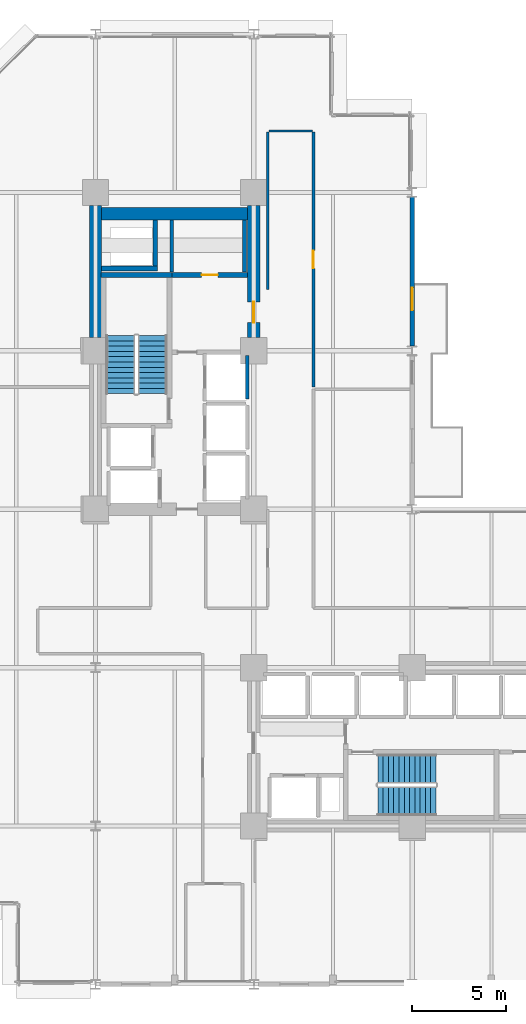
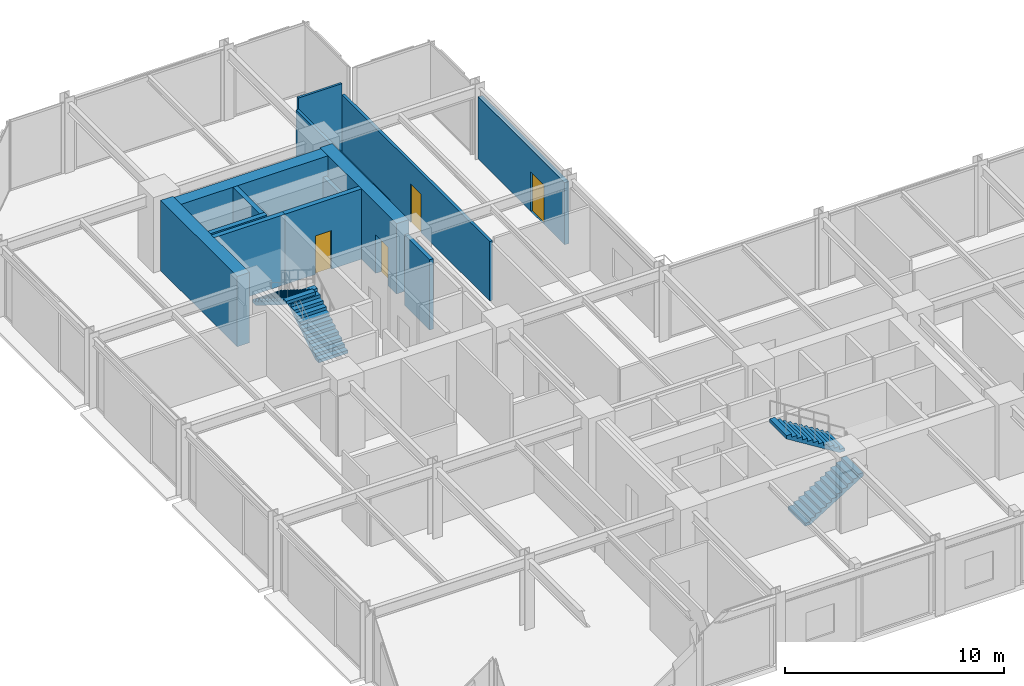
# One storey, part 22 of 25: 14 walls, 4 doors, 4 stair flights, 4 openings, 2 elements without a shape of their own.
"""IFC4 building model written with IfcOpenShell, lengths in metres."""

from ifc_helpers import new_model, si_unit, direction, frame, frame_2d, origin, place, context, subcontext, project, spatial, polyline, rectangle, outline, extrude, material, layer, layer_set, type_object, element, fill, aggregate, save


model = new_model("IFC4")

# Units and contexts
model_context = context("Model", 3, precision=1e-05, world=origin(), true_north=direction((0.0, 1.0)))
body_context = subcontext(model_context, "Body", "Model", "MODEL_VIEW")
ifc_project = project(units=[si_unit("LENGTHUNIT", "METRE"), si_unit("AREAUNIT", "SQUARE_METRE"), si_unit("VOLUMEUNIT", "CUBIC_METRE"), si_unit("PLANEANGLEUNIT", "RADIAN"), si_unit("MASSUNIT", "GRAM", prefix="KILO")], contexts=[model_context])

# Site, building, storey
site_placement = place(None, origin())
site = spatial("IfcSite", under=ifc_project, at=site_placement, CompositionType="ELEMENT")
building_placement = place(site_placement, origin())
building = spatial("IfcBuilding", under=site, at=building_placement, Name="Nerrivon Quay Data Exchange", CompositionType="ELEMENT")
storey_placement = place(building_placement, frame((0.0, 0.0, 24.800048828125)))
storey = spatial("IfcBuildingStorey", under=building, at=storey_placement, Name="L05", CompositionType="ELEMENT", Elevation=24.800048828125)

# Wall, opening, door
ifc_material_1 = material(Name="Architectural terracotta precast concrete N50 (50 MPa)", Category="masonry")
ifc_layer_1 = layer(ifc_material_1, 0.239990234375)
ifc_layer_set_1 = layer_set([ifc_layer_1], Name="Architectural terracotta precast concrete N50 (50 MPa)")
wall_type_1 = type_object("IfcWallType", Name="EW-PREC-240", PredefinedType="STANDARD", material=ifc_layer_set_1)
wall_1_placement = place(storey_placement, frame((25.199951171875, 41.75, 0.0), z_axis=(0.0, 0.0, 1.0), x_axis=(0.0, -1.0, 0.0)))
wall_1 = element("IfcWall", 1, at=wall_1_placement, inside=storey, type_object=wall_type_1, Name="L05 Terrace Host Wall 26", PredefinedType="STANDARD", context=body_context, shape_type="SweptSolid", body=[
    extrude(rectangle(XDim=7.89990234375, YDim=0.239990234375, at=frame_2d((3.949951171875, 0.0))), origin(), (0.0, 0.0, 1.0), 3.470947265625),
])
opening_1_placement = place(wall_1_placement, frame((4.800048828125, 0.0, 0.0)))
opening_1 = element("IfcOpeningElement", 2, at=opening_1_placement, cuts=wall_1, Name="Opening TD1", PredefinedType="OPENING", context=body_context, shape_type="SweptSolid", body=[
    extrude(rectangle(XDim=1.199951171875, YDim=2.199951171875, at=frame_2d((0.60009765625, 1.10009765625))), frame((0.0, 0.1298828125, 0.0), z_axis=(0.0, -1.0, 0.0), x_axis=(1.0, 0.0, 0.0)), (0.0, 0.0, 1.0), 0.260009765625),
])
ifc_material_2 = material(Name="Double-glazed low-E solar control glass", Category="glass")
door_type_1 = type_object("IfcDoorType", Name="DR-TERR-1200x2200", OperationType="NOTDEFINED", PredefinedType="DOOR", material=ifc_material_2)
door_1_placement = place(opening_1_placement, origin())
door_1 = element("IfcDoor", 3, at=door_1_placement, inside=storey, type_object=door_type_1, Name="L05 Outdoor Terrace Access Door 26", OperationType="SINGLE_SWING_LEFT", OverallHeight=2.199951171875, OverallWidth=1.199951171875, PredefinedType="DOOR", context=body_context, shape_type="SweptSolid", body=[
    extrude(rectangle(XDim=1.199951171875, YDim=2.199951171875, at=frame_2d((0.60009765625, 1.10009765625))), frame((0.0, 0.02490234375, 0.0), z_axis=(0.0, -1.0, 0.0), x_axis=(1.0, 0.0, 0.0)), (0.0, 0.0, 1.0), 0.050048828125),
])
fill(opening_1, door_1)

# Walls
ifc_material_3 = material(Name="Concrete N80 (80 MPa)", Category="concrete")
ifc_layer_2 = layer(ifc_material_3, 0.64990234375)
ifc_layer_set_2 = layer_set([ifc_layer_2], Name="Concrete N80 (80 MPa)")
wall_type_2 = type_object("IfcWallType", Name="WALL-CW-850", PredefinedType="SHEAR", material=ifc_layer_set_2)
wall_2_placement = place(storey_placement, frame((8.39990234375, 34.300048828125, 0.0), z_axis=(0.0, 0.0, 1.0), x_axis=(0.0, 1.0, 0.0)))
element("IfcWall", 4, at=wall_2_placement, inside=storey, type_object=wall_type_2, Name="L05 West Split-Core Shear Wall WCW-W2", PredefinedType="SHEAR", context=body_context, shape_type="SweptSolid", body=[
    extrude(rectangle(XDim=7.0, YDim=0.64990234375, at=frame_2d((3.5, 0.0))), origin(), (0.0, 0.0, 1.0), 3.925048828125),
])
wall_3_placement = place(storey_placement, frame((8.72509765625, 40.875, 0.0), z_axis=(0.0, 0.0, 1.0), x_axis=(1.0, 0.0, 0.0)))
element("IfcWall", 5, at=wall_3_placement, inside=storey, type_object=wall_type_2, Name="L05 West Split-Core Shear Wall WCW-N1", PredefinedType="SHEAR", context=body_context, shape_type="SweptSolid", body=[
    extrude(rectangle(XDim=7.75, YDim=0.64990234375, at=frame_2d((3.875, 0.0))), origin(), (0.0, 0.0, 1.0), 3.925048828125),
])

# Wall, opening, door
wall_4_placement = place(storey_placement, frame((16.800048828125, 34.300048828125, 0.0), z_axis=(0.0, 0.0, 1.0), x_axis=(0.0, 1.0, 0.0)))
wall_4 = element("IfcWall", 6, at=wall_4_placement, inside=storey, type_object=wall_type_2, Name="L05 West Split-Core Shear Wall WCW-E1", PredefinedType="SHEAR", context=body_context, shape_type="SweptSolid", body=[
    extrude(rectangle(XDim=7.0, YDim=0.64990234375, at=frame_2d((3.5, 0.0))), origin(), (0.0, 0.0, 1.0), 3.925048828125),
])
opening_2_placement = place(wall_4_placement, frame((0.800048828125, 0.0, 0.0)))
opening_2 = element("IfcOpeningElement", 7, at=opening_2_placement, cuts=wall_4, Name="Opening FD-120", PredefinedType="OPENING", context=body_context, shape_type="SweptSolid", body=[
    extrude(rectangle(XDim=1.10009765625, YDim=2.14990234375, at=frame_2d((0.550048828125, 1.074951171875))), frame((0.0, 0.3349609375, 0.0), z_axis=(0.0, -1.0, 0.0), x_axis=(1.0, 0.0, 0.0)), (0.0, 0.0, 1.0), 0.669921875),
])
ifc_material_4 = material(Name="Powder-coated galvanized steel sheet", Category="steel")
door_type_2 = type_object("IfcDoorType", Name="DR-FD120-1100", OperationType="NOTDEFINED", PredefinedType="DOOR", material=ifc_material_4)
door_2_placement = place(opening_2_placement, origin())
door_2 = element("IfcDoor", 8, at=door_2_placement, inside=storey, type_object=door_type_2, Name="L05 West Core Lobby Fire Door", OperationType="SINGLE_SWING_RIGHT", OverallHeight=2.14990234375, OverallWidth=1.10009765625, PredefinedType="DOOR", context=body_context, shape_type="SweptSolid", body=[
    extrude(rectangle(XDim=1.10009765625, YDim=2.14990234375, at=frame_2d((0.550048828125, 1.074951171875))), frame((0.0, 0.02490234375, 0.0), z_axis=(0.0, -1.0, 0.0), x_axis=(1.0, 0.0, 0.0)), (0.0, 0.0, 1.0), 0.050048828125),
])
fill(opening_2, door_2)

# Walls
ifc_material_5 = material(Name="Gypsum plasterboard on cold-formed framing", Category="gypsum")
ifc_layer_3 = layer(ifc_material_5, 0.199951171875)
ifc_layer_set_3 = layer_set([ifc_layer_3], Name="Gypsum plasterboard on cold-formed framing")
wall_type_3 = type_object("IfcWallType", Name="WALL-FW-200", PredefinedType="PARTITIONING", material=ifc_layer_set_3)
wall_5_placement = place(storey_placement, frame((16.449951171875, 31.050048828125, 0.0), z_axis=(0.0, 0.0, 1.0), x_axis=(0.0, 1.0, 0.0)))
element("IfcWall", 9, at=wall_5_placement, inside=storey, type_object=wall_type_3, Name="L05 Lift Shaft Wall PL3 EAST", PredefinedType="PARTITIONING", context=body_context, shape_type="SweptSolid", body=[
    extrude(rectangle(XDim=2.300048828125, YDim=0.199951171875, at=frame_2d((1.14990234375, 0.0))), origin(), (0.0, 0.0, 1.0), 3.925048828125),
])
for number, where, z_axis, x_axis, name in (
    (10, (16.300048828125, 37.780029296875, 0.0), (0.0, 0.0, 1.0), (0.0, 1.0, 0.0), "L05 Partition Cleaners Store"),
    (11, (12.449951171875, 40.5458984375, 0.0), (0.0, 0.0, 1.0), (0.0, -1.0, 0.0), "L05 Partition Cleaners Store"),
):
    element("IfcWall", number, at=place(storey_placement, frame(where, z_axis=z_axis, x_axis=x_axis)), inside=storey, type_object=wall_type_3, Name=name, PredefinedType="PARTITIONING", context=body_context, shape_type="SweptSolid", body=[
        extrude(rectangle(XDim=2.765869140625, YDim=0.199951171875, at=frame_2d((1.3828125, 0.0))), origin(), (0.0, 0.0, 1.0), 2.824951171875),
    ])
ifc_layer_4 = layer(ifc_material_5, 0.1201171875)
ifc_layer_set_4 = layer_set([ifc_layer_4], Name="Gypsum plasterboard on cold-formed framing")
wall_type_4 = type_object("IfcWallType", Name="WALL-PT-120", PredefinedType="PARTITIONING", material=ifc_layer_set_4)
wall_6_placement = place(storey_placement, frame((17.60009765625, 45.260009765625, 0.0), z_axis=(0.0, 0.0, 1.0), x_axis=(1.0, 0.0, 0.0)))
element("IfcWall", 12, at=wall_6_placement, inside=storey, type_object=wall_type_4, Name="L05 Partition Cloud Compute Workspace 1", PredefinedType="PARTITIONING", context=body_context, shape_type="SweptSolid", body=[
    extrude(rectangle(XDim=2.2998046875, YDim=0.1201171875, at=frame_2d((1.14990234375, 0.0))), origin(), (0.0, 0.0, 1.0), 3.925048828125),
])

# Wall, opening, door
ifc_layer_5 = layer(ifc_material_5, 0.14990234375)
ifc_layer_set_5 = layer_set([ifc_layer_5], Name="Gypsum plasterboard on cold-formed framing")
wall_type_5 = type_object("IfcWallType", Name="WALL-PT-150", PredefinedType="PARTITIONING", material=ifc_layer_set_5)
wall_7_placement = place(storey_placement, frame((19.9599609375, 45.199951171875, 0.0), z_axis=(0.0, 0.0, 1.0), x_axis=(0.0, -1.0, 0.0)))
wall_7 = element("IfcWall", 13, at=wall_7_placement, inside=storey, type_object=wall_type_5, Name="L05 Partition Cloud Compute Workspace 1", PredefinedType="PARTITIONING", context=body_context, shape_type="SweptSolid", body=[
    extrude(rectangle(XDim=13.507080078125, YDim=0.14990234375, at=frame_2d((6.75341796875, 0.0))), origin(), (0.0, 0.0, 1.0), 3.31298828125),
])
opening_3_placement = place(wall_7_placement, frame((6.278564453125, 0.0, 0.0)))
opening_3 = element("IfcOpeningElement", 14, at=opening_3_placement, cuts=wall_7, Name="Opening D-01", PredefinedType="OPENING", context=body_context, shape_type="SweptSolid", body=[
    extrude(rectangle(XDim=0.949951171875, YDim=2.14990234375, at=frame_2d((0.47509765625, 1.074951171875))), frame((0.0, 0.0849609375, 0.0), z_axis=(0.0, -1.0, 0.0), x_axis=(1.0, 0.0, 0.0)), (0.0, 0.0, 1.0), 0.169921875),
])
ifc_material_6 = material(Name="Engineered hardwood timber", Category="wood")
door_type_3 = type_object("IfcDoorType", Name="DR-INT-950", OperationType="NOTDEFINED", PredefinedType="DOOR", material=ifc_material_6)
door_3_placement = place(opening_3_placement, origin())
door_3 = element("IfcDoor", 15, at=door_3_placement, inside=storey, type_object=door_type_3, Name="L05 Door Cloud Compute Workspace 1", OperationType="SINGLE_SWING_RIGHT", OverallHeight=2.14990234375, OverallWidth=0.949951171875, PredefinedType="DOOR", context=body_context, shape_type="SweptSolid", body=[
    extrude(rectangle(XDim=0.949951171875, YDim=2.14990234375, at=frame_2d((0.47509765625, 1.074951171875))), frame((0.0, 0.02490234375, 0.0), z_axis=(0.0, -1.0, 0.0), x_axis=(1.0, 0.0, 0.0)), (0.0, 0.0, 1.0), 0.050048828125),
])
fill(opening_3, door_3)

# Walls
wall_8_placement = place(storey_placement, frame((17.5400390625, 36.860107421875, 0.0), z_axis=(0.0, 0.0, 1.0), x_axis=(0.0, 1.0, 0.0)))
element("IfcWall", 16, at=wall_8_placement, inside=storey, type_object=wall_type_5, Name="L05 Partition Cloud Compute Workspace 1", PredefinedType="PARTITIONING", context=body_context, shape_type="SweptSolid", body=[
    extrude(rectangle(XDim=8.33984375, YDim=0.14990234375, at=frame_2d((4.169921875, 0.0))), origin(), (0.0, 0.0, 1.0), 3.31298828125),
])
ifc_material_7 = material(Name="Concrete N50 (50 MPa)", Category="concrete")
ifc_layer_6 = layer(ifc_material_7, 0.25)
ifc_layer_set_6 = layer_set([ifc_layer_6], Name="Concrete N50 (50 MPa)")
wall_type_6 = type_object("IfcWallType", Name="WALL-SW-250", PredefinedType="SHEAR", material=ifc_layer_set_6)
wall_9_placement = place(storey_placement, frame((12.449951171875, 37.625, 0.0), z_axis=(0.0, 0.0, 1.0), x_axis=(-1.0, 0.0, 0.0)))
element("IfcWall", 17, at=wall_9_placement, inside=storey, type_object=wall_type_6, Name="L05 ST01 Structural Stair Core Wall FAR", PredefinedType="SHEAR", context=body_context, shape_type="SweptSolid", body=[
    extrude(rectangle(XDim=3.75, YDim=0.25, at=frame_2d((1.875, 0.0))), origin(), (0.0, 0.0, 1.0), 3.925048828125),
])
wall_10_placement = place(storey_placement, frame((8.72509765625, 37.97509765625, 0.0), z_axis=(0.0, 0.0, 1.0), x_axis=(1.0, 0.0, 0.0)))
element("IfcWall", 18, at=wall_10_placement, inside=storey, type_object=wall_type_6, Name="L05 West Core MEP Riser Shaft Wall S", PredefinedType="SHEAR", context=body_context, shape_type="SweptSolid", body=[
    extrude(rectangle(XDim=2.974853515625, YDim=0.25, at=frame_2d((1.4873046875, 0.0))), origin(), (0.0, 0.0, 1.0), 3.925048828125),
])
wall_11_placement = place(storey_placement, frame((11.574951171875, 38.10009765625, 0.0), z_axis=(0.0, 0.0, 1.0), x_axis=(0.0, 1.0, 0.0)))
element("IfcWall", 19, at=wall_11_placement, inside=storey, type_object=wall_type_6, Name="L05 West Core MEP Riser Shaft Wall E", PredefinedType="SHEAR", context=body_context, shape_type="SweptSolid", body=[
    extrude(rectangle(XDim=2.449951171875, YDim=0.25, at=frame_2d((1.22509765625, 0.0))), origin(), (0.0, 0.0, 1.0), 3.925048828125),
])

# Wall, opening, door
wall_12_placement = place(storey_placement, frame((12.449951171875, 37.625, 0.0), z_axis=(0.0, 0.0, 1.0), x_axis=(1.0, 0.0, 0.0)))
wall_12 = element("IfcWall", 20, at=wall_12_placement, inside=storey, type_object=wall_type_6, Name="L05 West Firefighting Lobby Wall", PredefinedType="SHEAR", context=body_context, shape_type="SweptSolid", body=[
    extrude(rectangle(XDim=4.025146484375, YDim=0.25, at=frame_2d((2.0126953125, 0.0))), origin(), (0.0, 0.0, 1.0), 3.925048828125),
])
opening_4_placement = place(wall_12_placement, frame((1.58740234375, 0.0, 0.0)))
opening_4 = element("IfcOpeningElement", 21, at=opening_4_placement, cuts=wall_12, Name="Opening FD-60S", PredefinedType="OPENING", context=body_context, shape_type="SweptSolid", body=[
    extrude(rectangle(XDim=0.85009765625, YDim=2.14990234375, at=frame_2d((0.425048828125, 1.074951171875))), frame((0.0, 0.135009765625, 0.0), z_axis=(0.0, -1.0, 0.0), x_axis=(1.0, 0.0, 0.0)), (0.0, 0.0, 1.0), 0.27001953125),
])
door_type_4 = type_object("IfcDoorType", Name="DR-FD60-850", OperationType="NOTDEFINED", PredefinedType="DOOR", material=ifc_material_6)
door_4_placement = place(opening_4_placement, origin())
door_4 = element("IfcDoor", 22, at=door_4_placement, inside=storey, type_object=door_type_4, Name="L05 Door Cleaners Store", OperationType="SINGLE_SWING_RIGHT", OverallHeight=2.14990234375, OverallWidth=0.85009765625, PredefinedType="DOOR", context=body_context, shape_type="SweptSolid", body=[
    extrude(rectangle(XDim=0.85009765625, YDim=2.14990234375, at=frame_2d((0.425048828125, 1.074951171875))), frame((0.0, 0.02490234375, 0.0), z_axis=(0.0, -1.0, 0.0), x_axis=(1.0, 0.0, 0.0)), (0.0, 0.0, 1.0), 0.050048828125),
])
fill(opening_4, door_4)

# Stair, stair flights
stair_type = type_object("IfcStairType", Name="STAIR-DOG-42", PredefinedType="HALF_TURN_STAIR", material=ifc_material_7)
stair_1_placement = place(storey_placement, origin())
stair_1 = element("IfcStair", 23, at=stair_1_placement, inside=storey, type_object=stair_type, Name="L05 West Core Fire Stair ST01", PredefinedType="HALF_TURN_STAIR")
stair_flight_type = type_object("IfcStairFlightType", Name="FLIGHT-DOG-42", PredefinedType="STRAIGHT", material=ifc_material_7)
stair_flight_1_placement = place(storey_placement, frame((11.425048828125, 31.330078125, 0.0), z_axis=(0.0, 0.0, 1.0), x_axis=(0.0, 1.0, 0.0)))
stair_flight_1 = element("IfcStairFlight", 24, at=stair_flight_1_placement, type_object=stair_flight_type, Name="ST01 flight 1", NumberOfRisers=12, NumberOfTreads=11, PredefinedType="STRAIGHT", RiserHeight=0.175, TreadLength=0.28, context=body_context, shape_type="SweptSolid", body=[
    extrude(outline(polyline([(0.0, 0.0), (0.0, 0.175048828125), (0.280029296875, 0.175048828125), (0.280029296875, 0.35009765625), (0.56005859375, 0.35009765625), (0.56005859375, 0.52490234375), (0.840087890625, 0.52490234375), (0.840087890625, 0.699951171875), (1.1201171875, 0.699951171875), (1.1201171875, 0.875), (1.39990234375, 0.875), (1.39990234375, 1.050048828125), (1.679931640625, 1.050048828125), (1.679931640625, 1.22509765625), (1.9599609375, 1.22509765625), (1.9599609375, 1.39990234375), (2.239990234375, 1.39990234375), (2.239990234375, 1.574951171875), (2.52001953125, 1.574951171875), (2.52001953125, 1.75), (2.800048828125, 1.75), (2.800048828125, 1.925048828125), (3.080078125, 1.925048828125), (3.080078125, 2.10009765625), (3.080078125, 1.748291015625), (0.28271484375, 0.0), (0.0, 0.0)])), frame((0.0, 0.77490234375, 0.0), z_axis=(0.0, -1.0, 0.0), x_axis=(1.0, 0.0, 0.0)), (0.0, 0.0, 1.0), 1.550048828125),
])
stair_flight_2_placement = place(storey_placement, frame((9.72509765625, 34.409912109375, 2.099853515625), z_axis=(0.0, 0.0, 1.0), x_axis=(0.0, -1.0, 0.0)))
stair_flight_2 = element("IfcStairFlight", 25, at=stair_flight_2_placement, type_object=stair_flight_type, Name="ST01 flight 2", NumberOfRisers=12, NumberOfTreads=11, PredefinedType="STRAIGHT", RiserHeight=0.175, TreadLength=0.28, context=body_context, shape_type="SweptSolid", body=[
    extrude(outline(polyline([(0.0, 0.0), (0.0, 0.175048828125), (0.280029296875, 0.175048828125), (0.280029296875, 0.35009765625), (0.56005859375, 0.35009765625), (0.56005859375, 0.52490234375), (0.840087890625, 0.52490234375), (0.840087890625, 0.699951171875), (1.1201171875, 0.699951171875), (1.1201171875, 0.875), (1.39990234375, 0.875), (1.39990234375, 1.050048828125), (1.679931640625, 1.050048828125), (1.679931640625, 1.22509765625), (1.9599609375, 1.22509765625), (1.9599609375, 1.39990234375), (2.239990234375, 1.39990234375), (2.239990234375, 1.574951171875), (2.52001953125, 1.574951171875), (2.52001953125, 1.75), (2.800048828125, 1.75), (2.800048828125, 1.925048828125), (3.080078125, 1.925048828125), (3.080078125, 2.10009765625), (3.080078125, 1.748291015625), (0.28271484375, 0.0), (0.0, 0.0)])), frame((0.0, 0.77490234375, 0.0), z_axis=(0.0, -1.0, 0.0), x_axis=(1.0, 0.0, 0.0)), (0.0, 0.0, 1.0), 1.550048828125),
])
aggregate(stair_1, [stair_flight_1, stair_flight_2])

stair_2_placement = place(storey_placement, origin())
stair_2 = element("IfcStair", 26, at=stair_2_placement, inside=storey, type_object=stair_type, Name="L05 East Core Fire Stair ST02", PredefinedType="HALF_TURN_STAIR")
stair_flight_3_placement = place(storey_placement, frame((23.3798828125, 9.72509765625, 0.0), z_axis=(0.0, 0.0, 1.0), x_axis=(1.0, 0.0, 0.0)))
stair_flight_3 = element("IfcStairFlight", 27, at=stair_flight_3_placement, type_object=stair_flight_type, Name="ST02 flight 1", NumberOfRisers=12, NumberOfTreads=11, PredefinedType="STRAIGHT", RiserHeight=0.175, TreadLength=0.28, context=body_context, shape_type="SweptSolid", body=[
    extrude(outline(polyline([(0.0, 0.0), (0.0, 0.175048828125), (0.280029296875, 0.175048828125), (0.280029296875, 0.35009765625), (0.56005859375, 0.35009765625), (0.56005859375, 0.52490234375), (0.840087890625, 0.52490234375), (0.840087890625, 0.699951171875), (1.1201171875, 0.699951171875), (1.1201171875, 0.875), (1.39990234375, 0.875), (1.39990234375, 1.050048828125), (1.679931640625, 1.050048828125), (1.679931640625, 1.22509765625), (1.9599609375, 1.22509765625), (1.9599609375, 1.39990234375), (2.239990234375, 1.39990234375), (2.239990234375, 1.574951171875), (2.52001953125, 1.574951171875), (2.52001953125, 1.75), (2.800048828125, 1.75), (2.800048828125, 1.925048828125), (3.080078125, 1.925048828125), (3.080078125, 2.10009765625), (3.080078125, 1.748291015625), (0.28271484375, 0.0), (0.0, 0.0)])), frame((0.0, 0.77490234375, 0.0), z_axis=(0.0, -1.0, 0.0), x_axis=(1.0, 0.0, 0.0)), (0.0, 0.0, 1.0), 1.550048828125),
])
stair_flight_4_placement = place(storey_placement, frame((26.4599609375, 11.425048828125, 2.099853515625), z_axis=(0.0, 0.0, 1.0), x_axis=(-1.0, 0.0, 0.0)))
stair_flight_4 = element("IfcStairFlight", 28, at=stair_flight_4_placement, type_object=stair_flight_type, Name="ST02 flight 2", NumberOfRisers=12, NumberOfTreads=11, PredefinedType="STRAIGHT", RiserHeight=0.175, TreadLength=0.28, context=body_context, shape_type="SweptSolid", body=[
    extrude(outline(polyline([(0.0, 0.0), (0.0, 0.175048828125), (0.280029296875, 0.175048828125), (0.280029296875, 0.35009765625), (0.56005859375, 0.35009765625), (0.56005859375, 0.52490234375), (0.840087890625, 0.52490234375), (0.840087890625, 0.699951171875), (1.1201171875, 0.699951171875), (1.1201171875, 0.875), (1.39990234375, 0.875), (1.39990234375, 1.050048828125), (1.679931640625, 1.050048828125), (1.679931640625, 1.22509765625), (1.9599609375, 1.22509765625), (1.9599609375, 1.39990234375), (2.239990234375, 1.39990234375), (2.239990234375, 1.574951171875), (2.52001953125, 1.574951171875), (2.52001953125, 1.75), (2.800048828125, 1.75), (2.800048828125, 1.925048828125), (3.080078125, 1.925048828125), (3.080078125, 2.10009765625), (3.080078125, 1.748291015625), (0.28271484375, 0.0), (0.0, 0.0)])), frame((0.0, 0.77490234375, 0.0), z_axis=(0.0, -1.0, 0.0), x_axis=(1.0, 0.0, 0.0)), (0.0, 0.0, 1.0), 1.550048828125),
])
aggregate(stair_2, [stair_flight_3, stair_flight_4])

save(model, "model.ifc")
